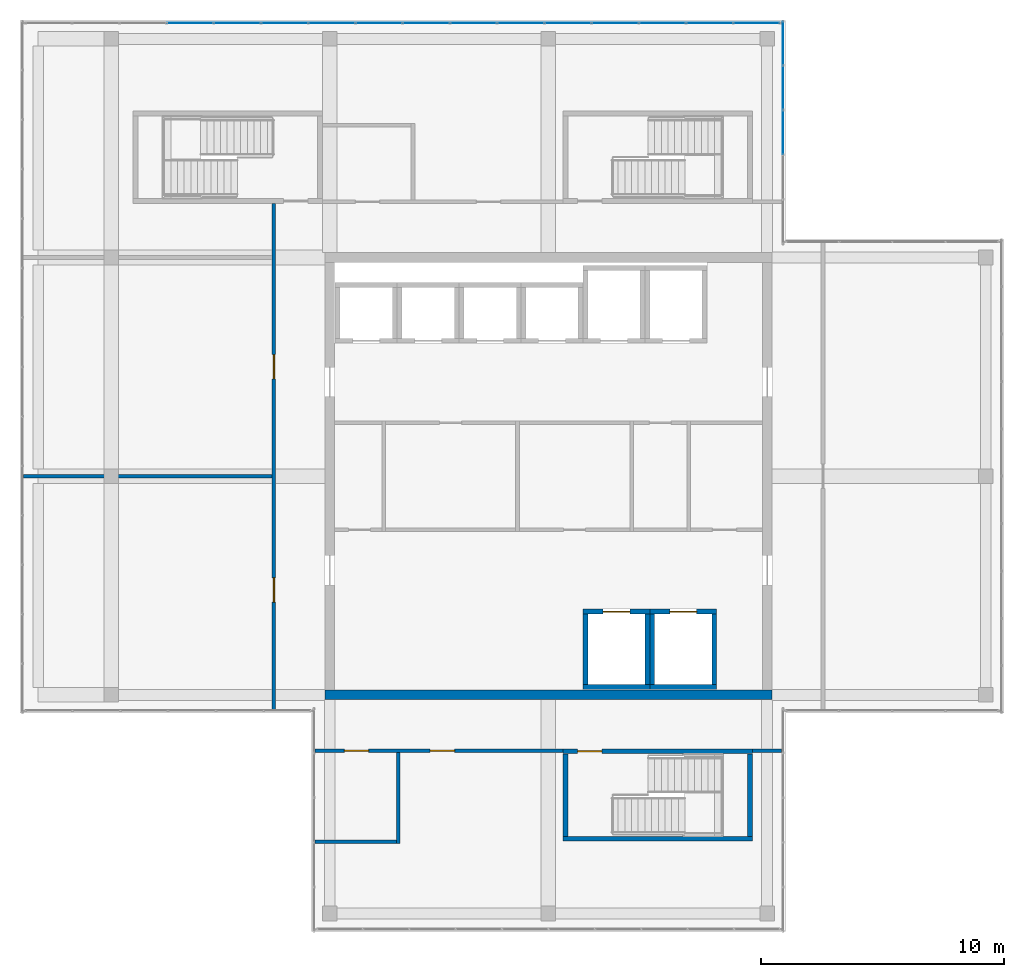
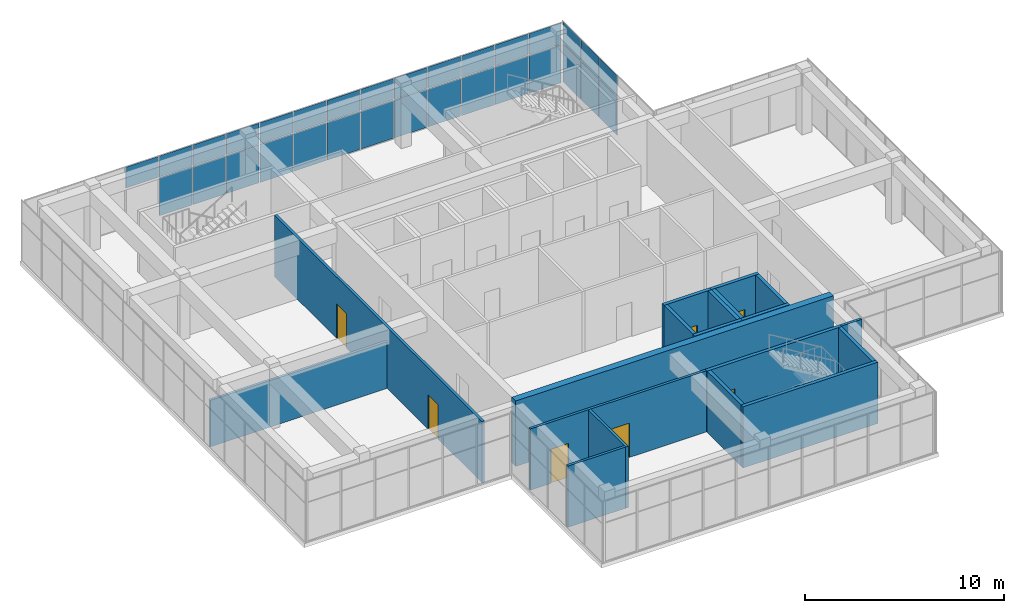
# One storey, part 31 of 35: 31 plates, 19 walls, 7 doors, 7 openings, 2 elements without a shape of their own.
"""IFC4 building model written with IfcOpenShell, lengths in metres."""

from ifc_helpers import new_model, si_unit, direction, frame, frame_2d, origin, origin_2d, place, context, subcontext, project, spatial, rectangle, extrude, material, layer, layer_set, type_object, element, fill, aggregate, save


model = new_model("IFC4")

# Units and contexts
model_context = context("Model", 3, precision=1e-05, world=origin(), true_north=direction((0.0, 1.0)))
body_context = subcontext(model_context, "Body", "Model", "MODEL_VIEW")
ifc_project = project(units=[si_unit("LENGTHUNIT", "METRE"), si_unit("AREAUNIT", "SQUARE_METRE"), si_unit("VOLUMEUNIT", "CUBIC_METRE"), si_unit("PLANEANGLEUNIT", "RADIAN"), si_unit("MASSUNIT", "GRAM", prefix="KILO")], contexts=[model_context])

# Site, building, storey
site_placement = place(None, origin())
site = spatial("IfcSite", under=ifc_project, at=site_placement, CompositionType="ELEMENT")
building_placement = place(site_placement, origin())
building = spatial("IfcBuilding", under=site, at=building_placement, Name="Tuart Plaza Theatre", CompositionType="ELEMENT")
storey_placement = place(building_placement, frame((0.0, 0.0, 45.5)))
storey = spatial("IfcBuildingStorey", under=building, at=storey_placement, Name="L11", CompositionType="ELEMENT", Elevation=45.5)

# Curtain wall, plates
ifc_material_1 = material(Name="Aluminium and glass", Category="aluminium")
ifc_layer_1 = layer(ifc_material_1, 0.10009765625)
ifc_layer_set_1 = layer_set([ifc_layer_1], Name="CURTAIN WALL 2000 module")
curtain_wall_type = type_object("IfcCurtainWallType", Name="CURTAIN WALL 2000 module", PredefinedType="NOTDEFINED", material=ifc_layer_set_1)
curtain_wall_1_placement = place(storey_placement, origin())
curtain_wall_1 = element("IfcCurtainWall", 1, at=curtain_wall_1_placement, inside=storey, type_object=curtain_wall_type, Name="CW104", PredefinedType="NOTDEFINED")
ifc_material_2 = material(Name="Glass", Category="glass")
ifc_layer_2 = layer(ifc_material_2, 0.028076171875)
ifc_layer_set_2 = layer_set([ifc_layer_2], Name="CURTAIN PANEL double glazed 28")
plate_type = type_object("IfcPlateType", Name="CURTAIN PANEL double glazed 28", PredefinedType="CURTAIN_PANEL", material=ifc_layer_set_2)
plate_1_placement = place(storey_placement, frame((141.64990234375, 88.14990234375, 0.0498046875), z_axis=(0.0, 0.0, 1.0), x_axis=(0.0, 1.0, 0.0)))
plate_1 = element("IfcPlate", 2, at=plate_1_placement, type_object=plate_type, Name="CW104 panel 3.1", PredefinedType="CURTAIN_PANEL", context=body_context, shape_type="SweptSolid", body=[
    extrude(rectangle(XDim=1.7900390625, YDim=0.028076171875, at=origin_2d()), origin(), (0.0, 0.0, 1.0), 2.324951171875),
])
plate_2_placement = place(storey_placement, frame((141.64990234375, 88.14990234375, 2.425048828125), z_axis=(0.0, 0.0, 1.0), x_axis=(0.0, 1.0, 0.0)))
plate_2 = element("IfcPlate", 3, at=plate_2_placement, type_object=plate_type, Name="CW104 panel 3.2", PredefinedType="CURTAIN_PANEL", context=body_context, shape_type="SweptSolid", body=[
    extrude(rectangle(XDim=1.7900390625, YDim=0.028076171875, at=origin_2d()), origin(), (0.0, 0.0, 1.0), 1.27490234375),
])
plate_3_placement = place(storey_placement, frame((141.64990234375, 89.989990234375, 0.0498046875), z_axis=(0.0, 0.0, 1.0), x_axis=(0.0, 1.0, 0.0)))
plate_3 = element("IfcPlate", 4, at=plate_3_placement, type_object=plate_type, Name="CW104 panel 4.1", PredefinedType="CURTAIN_PANEL", context=body_context, shape_type="SweptSolid", body=[
    extrude(rectangle(XDim=1.7900390625, YDim=0.028076171875, at=origin_2d()), origin(), (0.0, 0.0, 1.0), 2.324951171875),
])
plate_4_placement = place(storey_placement, frame((141.64990234375, 89.989990234375, 2.425048828125), z_axis=(0.0, 0.0, 1.0), x_axis=(0.0, 1.0, 0.0)))
plate_4 = element("IfcPlate", 5, at=plate_4_placement, type_object=plate_type, Name="CW104 panel 4.2", PredefinedType="CURTAIN_PANEL", context=body_context, shape_type="SweptSolid", body=[
    extrude(rectangle(XDim=1.7900390625, YDim=0.028076171875, at=origin_2d()), origin(), (0.0, 0.0, 1.0), 1.27490234375),
])
plate_5_placement = place(storey_placement, frame((141.64990234375, 91.8173828125, 0.0498046875), z_axis=(0.0, 0.0, 1.0), x_axis=(0.0, 1.0, 0.0)))
plate_5 = element("IfcPlate", 6, at=plate_5_placement, type_object=plate_type, Name="CW104 panel 5.1", PredefinedType="CURTAIN_PANEL", context=body_context, shape_type="SweptSolid", body=[
    extrude(rectangle(XDim=1.764892578125, YDim=0.028076171875, at=origin_2d()), origin(), (0.0, 0.0, 1.0), 2.324951171875),
])
plate_6_placement = place(storey_placement, frame((141.64990234375, 91.8173828125, 2.425048828125), z_axis=(0.0, 0.0, 1.0), x_axis=(0.0, 1.0, 0.0)))
plate_6 = element("IfcPlate", 7, at=plate_6_placement, type_object=plate_type, Name="CW104 panel 5.2", PredefinedType="CURTAIN_PANEL", context=body_context, shape_type="SweptSolid", body=[
    extrude(rectangle(XDim=1.764892578125, YDim=0.028076171875, at=origin_2d()), origin(), (0.0, 0.0, 1.0), 1.27490234375),
])
aggregate(curtain_wall_1, [plate_1, plate_2, plate_3, plate_4, plate_5, plate_6])

curtain_wall_2_placement = place(storey_placement, origin())
curtain_wall_2 = element("IfcCurtainWall", 8, at=curtain_wall_2_placement, inside=storey, type_object=curtain_wall_type, Name="CW105", PredefinedType="NOTDEFINED")
plate_7_placement = place(storey_placement, frame((140.565673828125, 92.64990234375, 0.0498046875), z_axis=(0.0, 0.0, 1.0), x_axis=(-1.0, 0.0, 0.0)))
plate_7 = element("IfcPlate", 9, at=plate_7_placement, type_object=plate_type, Name="CW105 panel 1.1", PredefinedType="CURTAIN_PANEL", context=body_context, shape_type="SweptSolid", body=[
    extrude(rectangle(XDim=1.86865234375, YDim=0.028076171875, at=origin_2d()), origin(), (0.0, 0.0, 1.0), 2.324951171875),
])
plate_8_placement = place(storey_placement, frame((140.565673828125, 92.64990234375, 2.425048828125), z_axis=(0.0, 0.0, 1.0), x_axis=(-1.0, 0.0, 0.0)))
plate_8 = element("IfcPlate", 10, at=plate_8_placement, type_object=plate_type, Name="CW105 panel 1.2", PredefinedType="CURTAIN_PANEL", context=body_context, shape_type="SweptSolid", body=[
    extrude(rectangle(XDim=1.86865234375, YDim=0.028076171875, at=origin_2d()), origin(), (0.0, 0.0, 1.0), 1.27490234375),
])
plate_9_placement = place(storey_placement, frame((138.63427734375, 92.64990234375, 0.0498046875), z_axis=(0.0, 0.0, 1.0), x_axis=(-1.0, 0.0, 0.0)))
plate_9 = element("IfcPlate", 11, at=plate_9_placement, type_object=plate_type, Name="CW105 panel 2.1", PredefinedType="CURTAIN_PANEL", context=body_context, shape_type="SweptSolid", body=[
    extrude(rectangle(XDim=1.893798828125, YDim=0.028076171875, at=origin_2d()), origin(), (0.0, 0.0, 1.0), 2.324951171875),
])
plate_10_placement = place(storey_placement, frame((138.63427734375, 92.64990234375, 2.425048828125), z_axis=(0.0, 0.0, 1.0), x_axis=(-1.0, 0.0, 0.0)))
plate_10 = element("IfcPlate", 12, at=plate_10_placement, type_object=plate_type, Name="CW105 panel 2.2", PredefinedType="CURTAIN_PANEL", context=body_context, shape_type="SweptSolid", body=[
    extrude(rectangle(XDim=1.893798828125, YDim=0.028076171875, at=origin_2d()), origin(), (0.0, 0.0, 1.0), 1.27490234375),
])
plate_11_placement = place(storey_placement, frame((136.690673828125, 92.64990234375, 0.0498046875), z_axis=(0.0, 0.0, 1.0), x_axis=(-1.0, 0.0, 0.0)))
plate_11 = element("IfcPlate", 13, at=plate_11_placement, type_object=plate_type, Name="CW105 panel 3.1", PredefinedType="CURTAIN_PANEL", context=body_context, shape_type="SweptSolid", body=[
    extrude(rectangle(XDim=1.893798828125, YDim=0.028076171875, at=origin_2d()), origin(), (0.0, 0.0, 1.0), 2.324951171875),
])
plate_12_placement = place(storey_placement, frame((136.690673828125, 92.64990234375, 2.425048828125), z_axis=(0.0, 0.0, 1.0), x_axis=(-1.0, 0.0, 0.0)))
plate_12 = element("IfcPlate", 14, at=plate_12_placement, type_object=plate_type, Name="CW105 panel 3.2", PredefinedType="CURTAIN_PANEL", context=body_context, shape_type="SweptSolid", body=[
    extrude(rectangle(XDim=1.893798828125, YDim=0.028076171875, at=origin_2d()), origin(), (0.0, 0.0, 1.0), 1.27490234375),
])
plate_13_placement = place(storey_placement, frame((134.746826171875, 92.64990234375, 0.0498046875), z_axis=(0.0, 0.0, 1.0), x_axis=(-1.0, 0.0, 0.0)))
plate_13 = element("IfcPlate", 15, at=plate_13_placement, type_object=plate_type, Name="CW105 panel 4.1", PredefinedType="CURTAIN_PANEL", context=body_context, shape_type="SweptSolid", body=[
    extrude(rectangle(XDim=1.893798828125, YDim=0.028076171875, at=origin_2d()), origin(), (0.0, 0.0, 1.0), 2.324951171875),
])
plate_14_placement = place(storey_placement, frame((134.746826171875, 92.64990234375, 2.425048828125), z_axis=(0.0, 0.0, 1.0), x_axis=(-1.0, 0.0, 0.0)))
plate_14 = element("IfcPlate", 16, at=plate_14_placement, type_object=plate_type, Name="CW105 panel 4.2", PredefinedType="CURTAIN_PANEL", context=body_context, shape_type="SweptSolid", body=[
    extrude(rectangle(XDim=1.893798828125, YDim=0.028076171875, at=origin_2d()), origin(), (0.0, 0.0, 1.0), 1.27490234375),
])
plate_15_placement = place(storey_placement, frame((132.80322265625, 92.64990234375, 0.0498046875), z_axis=(0.0, 0.0, 1.0), x_axis=(-1.0, 0.0, 0.0)))
plate_15 = element("IfcPlate", 17, at=plate_15_placement, type_object=plate_type, Name="CW105 panel 5.1", PredefinedType="CURTAIN_PANEL", context=body_context, shape_type="SweptSolid", body=[
    extrude(rectangle(XDim=1.893798828125, YDim=0.028076171875, at=origin_2d()), origin(), (0.0, 0.0, 1.0), 2.324951171875),
])
plate_16_placement = place(storey_placement, frame((132.80322265625, 92.64990234375, 2.425048828125), z_axis=(0.0, 0.0, 1.0), x_axis=(-1.0, 0.0, 0.0)))
plate_16 = element("IfcPlate", 18, at=plate_16_placement, type_object=plate_type, Name="CW105 panel 5.2", PredefinedType="CURTAIN_PANEL", context=body_context, shape_type="SweptSolid", body=[
    extrude(rectangle(XDim=1.893798828125, YDim=0.028076171875, at=origin_2d()), origin(), (0.0, 0.0, 1.0), 1.27490234375),
])
plate_17_placement = place(storey_placement, frame((130.859375, 92.64990234375, 0.0498046875), z_axis=(0.0, 0.0, 1.0), x_axis=(-1.0, 0.0, 0.0)))
plate_17 = element("IfcPlate", 19, at=plate_17_placement, type_object=plate_type, Name="CW105 panel 6.1", PredefinedType="CURTAIN_PANEL", context=body_context, shape_type="SweptSolid", body=[
    extrude(rectangle(XDim=1.893798828125, YDim=0.028076171875, at=origin_2d()), origin(), (0.0, 0.0, 1.0), 2.324951171875),
])
plate_18_placement = place(storey_placement, frame((130.859375, 92.64990234375, 2.425048828125), z_axis=(0.0, 0.0, 1.0), x_axis=(-1.0, 0.0, 0.0)))
plate_18 = element("IfcPlate", 20, at=plate_18_placement, type_object=plate_type, Name="CW105 panel 6.2", PredefinedType="CURTAIN_PANEL", context=body_context, shape_type="SweptSolid", body=[
    extrude(rectangle(XDim=1.893798828125, YDim=0.028076171875, at=origin_2d()), origin(), (0.0, 0.0, 1.0), 1.27490234375),
])
plate_19_placement = place(storey_placement, frame((128.91552734375, 92.64990234375, 0.0498046875), z_axis=(0.0, 0.0, 1.0), x_axis=(-1.0, 0.0, 0.0)))
plate_19 = element("IfcPlate", 21, at=plate_19_placement, type_object=plate_type, Name="CW105 panel 7.1", PredefinedType="CURTAIN_PANEL", context=body_context, shape_type="SweptSolid", body=[
    extrude(rectangle(XDim=1.893798828125, YDim=0.028076171875, at=origin_2d()), origin(), (0.0, 0.0, 1.0), 2.324951171875),
])
plate_20_placement = place(storey_placement, frame((128.91552734375, 92.64990234375, 2.425048828125), z_axis=(0.0, 0.0, 1.0), x_axis=(-1.0, 0.0, 0.0)))
plate_20 = element("IfcPlate", 22, at=plate_20_placement, type_object=plate_type, Name="CW105 panel 7.2", PredefinedType="CURTAIN_PANEL", context=body_context, shape_type="SweptSolid", body=[
    extrude(rectangle(XDim=1.893798828125, YDim=0.028076171875, at=origin_2d()), origin(), (0.0, 0.0, 1.0), 1.27490234375),
])
plate_21_placement = place(storey_placement, frame((126.971923828125, 92.64990234375, 0.0498046875), z_axis=(0.0, 0.0, 1.0), x_axis=(-1.0, 0.0, 0.0)))
plate_21 = element("IfcPlate", 23, at=plate_21_placement, type_object=plate_type, Name="CW105 panel 8.1", PredefinedType="CURTAIN_PANEL", context=body_context, shape_type="SweptSolid", body=[
    extrude(rectangle(XDim=1.893798828125, YDim=0.028076171875, at=origin_2d()), origin(), (0.0, 0.0, 1.0), 2.324951171875),
])
plate_22_placement = place(storey_placement, frame((126.971923828125, 92.64990234375, 2.425048828125), z_axis=(0.0, 0.0, 1.0), x_axis=(-1.0, 0.0, 0.0)))
plate_22 = element("IfcPlate", 24, at=plate_22_placement, type_object=plate_type, Name="CW105 panel 8.2", PredefinedType="CURTAIN_PANEL", context=body_context, shape_type="SweptSolid", body=[
    extrude(rectangle(XDim=1.893798828125, YDim=0.028076171875, at=origin_2d()), origin(), (0.0, 0.0, 1.0), 1.27490234375),
])
plate_23_placement = place(storey_placement, frame((125.028076171875, 92.64990234375, 0.0498046875), z_axis=(0.0, 0.0, 1.0), x_axis=(-1.0, 0.0, 0.0)))
plate_23 = element("IfcPlate", 25, at=plate_23_placement, type_object=plate_type, Name="CW105 panel 9.1", PredefinedType="CURTAIN_PANEL", context=body_context, shape_type="SweptSolid", body=[
    extrude(rectangle(XDim=1.893798828125, YDim=0.028076171875, at=origin_2d()), origin(), (0.0, 0.0, 1.0), 2.324951171875),
])
plate_24_placement = place(storey_placement, frame((125.028076171875, 92.64990234375, 2.425048828125), z_axis=(0.0, 0.0, 1.0), x_axis=(-1.0, 0.0, 0.0)))
plate_24 = element("IfcPlate", 26, at=plate_24_placement, type_object=plate_type, Name="CW105 panel 9.2", PredefinedType="CURTAIN_PANEL", context=body_context, shape_type="SweptSolid", body=[
    extrude(rectangle(XDim=1.893798828125, YDim=0.028076171875, at=origin_2d()), origin(), (0.0, 0.0, 1.0), 1.27490234375),
])
plate_25_placement = place(storey_placement, frame((123.08447265625, 92.64990234375, 0.0498046875), z_axis=(0.0, 0.0, 1.0), x_axis=(-1.0, 0.0, 0.0)))
plate_25 = element("IfcPlate", 27, at=plate_25_placement, type_object=plate_type, Name="CW105 panel 10.1", PredefinedType="CURTAIN_PANEL", context=body_context, shape_type="SweptSolid", body=[
    extrude(rectangle(XDim=1.893798828125, YDim=0.028076171875, at=origin_2d()), origin(), (0.0, 0.0, 1.0), 2.324951171875),
])
plate_26_placement = place(storey_placement, frame((123.08447265625, 92.64990234375, 2.425048828125), z_axis=(0.0, 0.0, 1.0), x_axis=(-1.0, 0.0, 0.0)))
plate_26 = element("IfcPlate", 28, at=plate_26_placement, type_object=plate_type, Name="CW105 panel 10.2", PredefinedType="CURTAIN_PANEL", context=body_context, shape_type="SweptSolid", body=[
    extrude(rectangle(XDim=1.893798828125, YDim=0.028076171875, at=origin_2d()), origin(), (0.0, 0.0, 1.0), 1.27490234375),
])
plate_27_placement = place(storey_placement, frame((121.140625, 92.64990234375, 0.0498046875), z_axis=(0.0, 0.0, 1.0), x_axis=(-1.0, 0.0, 0.0)))
plate_27 = element("IfcPlate", 29, at=plate_27_placement, type_object=plate_type, Name="CW105 panel 11.1", PredefinedType="CURTAIN_PANEL", context=body_context, shape_type="SweptSolid", body=[
    extrude(rectangle(XDim=1.893798828125, YDim=0.028076171875, at=origin_2d()), origin(), (0.0, 0.0, 1.0), 2.324951171875),
])
plate_28_placement = place(storey_placement, frame((121.140625, 92.64990234375, 2.425048828125), z_axis=(0.0, 0.0, 1.0), x_axis=(-1.0, 0.0, 0.0)))
plate_28 = element("IfcPlate", 30, at=plate_28_placement, type_object=plate_type, Name="CW105 panel 11.2", PredefinedType="CURTAIN_PANEL", context=body_context, shape_type="SweptSolid", body=[
    extrude(rectangle(XDim=1.893798828125, YDim=0.028076171875, at=origin_2d()), origin(), (0.0, 0.0, 1.0), 1.27490234375),
])
plate_29_placement = place(storey_placement, frame((119.19677734375, 92.64990234375, 0.0498046875), z_axis=(0.0, 0.0, 1.0), x_axis=(-1.0, 0.0, 0.0)))
plate_29 = element("IfcPlate", 31, at=plate_29_placement, type_object=plate_type, Name="CW105 panel 12.1", PredefinedType="CURTAIN_PANEL", context=body_context, shape_type="SweptSolid", body=[
    extrude(rectangle(XDim=1.893798828125, YDim=0.028076171875, at=origin_2d()), origin(), (0.0, 0.0, 1.0), 2.324951171875),
])
plate_30_placement = place(storey_placement, frame((119.19677734375, 92.64990234375, 2.425048828125), z_axis=(0.0, 0.0, 1.0), x_axis=(-1.0, 0.0, 0.0)))
plate_30 = element("IfcPlate", 32, at=plate_30_placement, type_object=plate_type, Name="CW105 panel 12.2", PredefinedType="CURTAIN_PANEL", context=body_context, shape_type="SweptSolid", body=[
    extrude(rectangle(XDim=1.893798828125, YDim=0.028076171875, at=origin_2d()), origin(), (0.0, 0.0, 1.0), 1.27490234375),
])
plate_31_placement = place(storey_placement, frame((117.253173828125, 92.64990234375, 2.425048828125), z_axis=(0.0, 0.0, 1.0), x_axis=(-1.0, 0.0, 0.0)))
plate_31 = element("IfcPlate", 33, at=plate_31_placement, type_object=plate_type, Name="CW105 panel 13.2", PredefinedType="CURTAIN_PANEL", context=body_context, shape_type="SweptSolid", body=[
    extrude(rectangle(XDim=1.893798828125, YDim=0.028076171875, at=origin_2d()), origin(), (0.0, 0.0, 1.0), 1.27490234375),
])
aggregate(curtain_wall_2, [plate_7, plate_8, plate_9, plate_10, plate_11, plate_12, plate_13, plate_14, plate_15, plate_16, plate_17, plate_18, plate_19, plate_20, plate_21, plate_22, plate_23, plate_24, plate_25, plate_26, plate_27, plate_28, plate_29, plate_30, plate_31])

# Wall, openings, doors
ifc_material_3 = material(Name="Masonry block", Category="masonry")
ifc_layer_3 = layer(ifc_material_3, 0.14990234375)
ifc_layer_set_3 = layer_set([ifc_layer_3], Name="PARTITION BLK150 MASONRYB FRL 120/-/-")
wall_type_1 = type_object("IfcWallType", Name="PARTITION BLK150 MASONRYB FRL 120/-/-", PredefinedType="PARTITIONING", material=ifc_layer_set_3)
wall_1_placement = place(storey_placement, frame((132.60009765625, 62.699951171875, 0.0), z_axis=(0.0, 0.0, 1.0), x_axis=(-1.0, 0.0, 0.0)))
wall_1 = element("IfcWall", 34, at=wall_1_placement, inside=storey, type_object=wall_type_1, Name="P680", PredefinedType="PARTITIONING", context=body_context, shape_type="SweptSolid", body=[
    extrude(rectangle(XDim=10.2001953125, YDim=0.14990234375, at=frame_2d((5.10009765625, 0.0))), origin(), (0.0, 0.0, 1.0), 3.75),
])
opening_1_placement = place(wall_1_placement, frame((8.0, 0.0, 0.0)))
opening_1 = element("IfcOpeningElement", 35, at=opening_1_placement, cuts=wall_1, Name="Opening L11-021", PredefinedType="OPENING", context=body_context, shape_type="SweptSolid", body=[
    extrude(rectangle(XDim=1.0, YDim=2.10009765625, at=frame_2d((0.5, 1.050048828125))), frame((0.0, 0.0849609375, 0.0), z_axis=(0.0, -1.0, 0.0), x_axis=(1.0, 0.0, 0.0)), (0.0, 0.0, 1.0), 0.169921875),
])
opening_2_placement = place(wall_1_placement, frame((4.465087890625, 0.0, 0.0)))
opening_2 = element("IfcOpeningElement", 36, at=opening_2_placement, cuts=wall_1, Name="Opening L11-023", PredefinedType="OPENING", context=body_context, shape_type="SweptSolid", body=[
    extrude(rectangle(XDim=1.0, YDim=2.10009765625, at=frame_2d((0.5, 1.050048828125))), frame((0.0, 0.0849609375, 0.0), z_axis=(0.0, -1.0, 0.0), x_axis=(1.0, 0.0, 0.0)), (0.0, 0.0, 1.0), 0.169921875),
])
ifc_material_4 = material(Name="Timber", Category="wood")
door_type_1 = type_object("IfcDoorType", Name="DOOR 1000x2100 timber single swing FRL -/60/30", OperationType="SINGLE_SWING_LEFT", PredefinedType="DOOR", material=ifc_material_4)
door_1_placement = place(opening_1_placement, origin())
door_1 = element("IfcDoor", 37, at=door_1_placement, inside=storey, type_object=door_type_1, Name="L11-021", OperationType="SINGLE_SWING_RIGHT", OverallHeight=2.10009765625, OverallWidth=1.0, PredefinedType="DOOR", context=body_context, shape_type="SweptSolid", body=[
    extrude(rectangle(XDim=1.0, YDim=2.10009765625, at=frame_2d((0.5, 1.050048828125))), frame((0.0, 0.02490234375, 0.0), z_axis=(0.0, -1.0, 0.0), x_axis=(1.0, 0.0, 0.0)), (0.0, 0.0, 1.0), 0.050048828125),
])
fill(opening_1, door_1)
door_2_placement = place(opening_2_placement, origin())
door_2 = element("IfcDoor", 38, at=door_2_placement, inside=storey, type_object=door_type_1, Name="L11-023", OperationType="SINGLE_SWING_LEFT", OverallHeight=2.10009765625, OverallWidth=1.0, PredefinedType="DOOR", context=body_context, shape_type="SweptSolid", body=[
    extrude(rectangle(XDim=1.0, YDim=2.10009765625, at=frame_2d((0.5, 1.050048828125))), frame((0.0, 0.02490234375, 0.0), z_axis=(0.0, -1.0, 0.0), x_axis=(1.0, 0.0, 0.0)), (0.0, 0.0, 1.0), 0.050048828125),
])
fill(opening_2, door_2)

# Wall
wall_2_placement = place(storey_placement, frame((141.60009765625, 62.699951171875, 0.0), z_axis=(0.0, 0.0, 1.0), x_axis=(-1.0, 0.0, 0.0)))
element("IfcWall", 39, at=wall_2_placement, inside=storey, type_object=wall_type_1, Name="P681", PredefinedType="PARTITIONING", context=body_context, shape_type="SweptSolid", body=[
    extrude(rectangle(XDim=1.2001953125, YDim=0.14990234375, at=frame_2d((0.60009765625, 0.0))), origin(), (0.0, 0.0, 1.0), 3.75),
])

# Wall, openings, doors
wall_3_placement = place(storey_placement, frame((120.699951171875, 64.39990234375, 0.0), z_axis=(0.0, 0.0, 1.0), x_axis=(0.0, 1.0, 0.0)))
wall_3 = element("IfcWall", 40, at=wall_3_placement, inside=storey, type_object=wall_type_1, Name="P682", PredefinedType="PARTITIONING", context=body_context, shape_type="SweptSolid", body=[
    extrude(rectangle(XDim=20.8251953125, YDim=0.14990234375, at=frame_2d((10.41259765625, 0.0))), origin(), (0.0, 0.0, 1.0), 3.75),
])
opening_3_placement = place(wall_3_placement, frame((4.41259765625, 0.0, 0.0)))
opening_3 = element("IfcOpeningElement", 41, at=opening_3_placement, cuts=wall_3, Name="Opening L11-024", PredefinedType="OPENING", context=body_context, shape_type="SweptSolid", body=[
    extrude(rectangle(XDim=1.0, YDim=2.10009765625, at=frame_2d((0.5, 1.050048828125))), frame((0.0, 0.0849609375, 0.0), z_axis=(0.0, -1.0, 0.0), x_axis=(1.0, 0.0, 0.0)), (0.0, 0.0, 1.0), 0.169921875),
])
opening_4_placement = place(wall_3_placement, frame((13.60009765625, 0.0, 0.0)))
opening_4 = element("IfcOpeningElement", 42, at=opening_4_placement, cuts=wall_3, Name="Opening L11-026", PredefinedType="OPENING", context=body_context, shape_type="SweptSolid", body=[
    extrude(rectangle(XDim=1.0, YDim=2.10009765625, at=frame_2d((0.5, 1.050048828125))), frame((0.0, 0.0849609375, 0.0), z_axis=(0.0, -1.0, 0.0), x_axis=(1.0, 0.0, 0.0)), (0.0, 0.0, 1.0), 0.169921875),
])
door_3_placement = place(opening_3_placement, origin())
door_3 = element("IfcDoor", 43, at=door_3_placement, inside=storey, type_object=door_type_1, Name="L11-024", OperationType="SINGLE_SWING_RIGHT", OverallHeight=2.10009765625, OverallWidth=1.0, PredefinedType="DOOR", context=body_context, shape_type="SweptSolid", body=[
    extrude(rectangle(XDim=1.0, YDim=2.10009765625, at=frame_2d((0.5, 1.050048828125))), frame((0.0, 0.02490234375, 0.0), z_axis=(0.0, -1.0, 0.0), x_axis=(1.0, 0.0, 0.0)), (0.0, 0.0, 1.0), 0.050048828125),
])
fill(opening_3, door_3)
door_4_placement = place(opening_4_placement, origin())
door_4 = element("IfcDoor", 44, at=door_4_placement, inside=storey, type_object=door_type_1, Name="L11-026", OperationType="SINGLE_SWING_LEFT", OverallHeight=2.10009765625, OverallWidth=1.0, PredefinedType="DOOR", context=body_context, shape_type="SweptSolid", body=[
    extrude(rectangle(XDim=1.0, YDim=2.10009765625, at=frame_2d((0.5, 1.050048828125))), frame((0.0, 0.02490234375, 0.0), z_axis=(0.0, -1.0, 0.0), x_axis=(1.0, 0.0, 0.0)), (0.0, 0.0, 1.0), 0.050048828125),
])
fill(opening_4, door_4)

# Walls
wall_4_placement = place(storey_placement, frame((110.39990234375, 74.0, 0.0), z_axis=(0.0, 0.0, 1.0), x_axis=(1.0, 0.0, 0.0)))
element("IfcWall", 45, at=wall_4_placement, inside=storey, type_object=wall_type_1, Name="P686", PredefinedType="PARTITIONING", context=body_context, shape_type="SweptSolid", body=[
    extrude(rectangle(XDim=10.22607421875, YDim=0.14990234375, at=frame_2d((5.113037109375, 0.0))), origin(), (0.0, 0.0, 1.0), 2.85009765625),
])
wall_5_placement = place(storey_placement, frame((122.39990234375, 58.949951171875, 0.0), z_axis=(0.0, 0.0, 1.0), x_axis=(1.0, 0.0, 0.0)))
element("IfcWall", 46, at=wall_5_placement, inside=storey, type_object=wall_type_1, Name="P688", PredefinedType="PARTITIONING", context=body_context, shape_type="SweptSolid", body=[
    extrude(rectangle(XDim=3.35009765625, YDim=0.14990234375, at=frame_2d((1.675048828125, 0.0))), origin(), (0.0, 0.0, 1.0), 3.75),
])
wall_6_placement = place(storey_placement, frame((125.824951171875, 62.625, 0.0), z_axis=(0.0, 0.0, 1.0), x_axis=(0.0, -1.0, 0.0)))
element("IfcWall", 47, at=wall_6_placement, inside=storey, type_object=wall_type_1, Name="P689", PredefinedType="PARTITIONING", context=body_context, shape_type="SweptSolid", body=[
    extrude(rectangle(XDim=3.75, YDim=0.14990234375, at=frame_2d((1.875, 0.0))), origin(), (0.0, 0.0, 1.0), 3.75),
])
ifc_material_5 = material(Name="Concrete N40 (40 MPa)", Category="concrete")
ifc_layer_4 = layer(ifc_material_5, 0.199951171875)
ifc_layer_set_4 = layer_set([ifc_layer_4], Name="SHEAR WALL RC200 FRL 120/120/120")
wall_type_2 = type_object("IfcWallType", Name="SHEAR WALL RC200 FRL 120/120/120", PredefinedType="SHEAR", material=ifc_layer_set_4)
wall_7_placement = place(storey_placement, frame((133.425048828125, 65.324951171875, 0.0), z_axis=(0.0, 0.0, 1.0), x_axis=(1.0, 0.0, 0.0)))
element("IfcWall", 48, at=wall_7_placement, inside=storey, type_object=wall_type_2, Name="W1058", PredefinedType="SHEAR", context=body_context, shape_type="SweptSolid", body=[
    extrude(rectangle(XDim=2.75, YDim=0.199951171875, at=frame_2d((1.375, 0.0))), origin(), (0.0, 0.0, 1.0), 4.0),
])
wall_8_placement = place(storey_placement, frame((136.074951171875, 65.425048828125, 0.0), z_axis=(0.0, 0.0, 1.0), x_axis=(0.0, 1.0, 0.0)))
element("IfcWall", 49, at=wall_8_placement, inside=storey, type_object=wall_type_2, Name="W1059", PredefinedType="SHEAR", context=body_context, shape_type="SweptSolid", body=[
    extrude(rectangle(XDim=2.89990234375, YDim=0.199951171875, at=frame_2d((1.449951171875, 0.0))), origin(), (0.0, 0.0, 1.0), 4.0),
])

# Wall, opening, door
wall_9_placement = place(storey_placement, frame((136.175048828125, 68.425048828125, 0.0), z_axis=(0.0, 0.0, 1.0), x_axis=(-1.0, 0.0, 0.0)))
wall_9 = element("IfcWall", 50, at=wall_9_placement, inside=storey, type_object=wall_type_2, Name="W1060", PredefinedType="SHEAR", context=body_context, shape_type="SweptSolid", body=[
    extrude(rectangle(XDim=2.75, YDim=0.199951171875, at=frame_2d((1.375, 0.0))), origin(), (0.0, 0.0, 1.0), 4.0),
])
opening_5_placement = place(wall_9_placement, frame((0.824951171875, 0.0, 0.0)))
opening_5 = element("IfcOpeningElement", 51, at=opening_5_placement, cuts=wall_9, Name="Opening L11-005", PredefinedType="OPENING", context=body_context, shape_type="SweptSolid", body=[
    extrude(rectangle(XDim=1.10009765625, YDim=2.10009765625, at=frame_2d((0.550048828125, 1.050048828125))), frame((0.0, 0.10986328125, 0.0), z_axis=(0.0, -1.0, 0.0), x_axis=(1.0, 0.0, 0.0)), (0.0, 0.0, 1.0), 0.219970703125),
])
ifc_material_6 = material(Name="Steel Grade 300", Category="steel")
door_type_2 = type_object("IfcDoorType", Name="LANDING DOOR 1100x2100 steel sliding FRL -/120/30", OperationType="SLIDING_TO_LEFT", PredefinedType="DOOR", material=ifc_material_6)
door_5_placement = place(opening_5_placement, origin())
door_5 = element("IfcDoor", 52, at=door_5_placement, inside=storey, type_object=door_type_2, Name="L11-005", OperationType="SLIDING_TO_LEFT", OverallHeight=2.10009765625, OverallWidth=1.10009765625, PredefinedType="DOOR", context=body_context, shape_type="SweptSolid", body=[
    extrude(rectangle(XDim=1.10009765625, YDim=2.10009765625, at=frame_2d((0.550048828125, 1.050048828125))), frame((0.0, 0.02490234375, 0.0), z_axis=(0.0, -1.0, 0.0), x_axis=(1.0, 0.0, 0.0)), (0.0, 0.0, 1.0), 0.050048828125),
])
fill(opening_5, door_5)

# Walls
wall_10_placement = place(storey_placement, frame((133.52490234375, 68.324951171875, 0.0), z_axis=(0.0, 0.0, 1.0), x_axis=(0.0, -1.0, 0.0)))
element("IfcWall", 53, at=wall_10_placement, inside=storey, type_object=wall_type_2, Name="W1061", PredefinedType="SHEAR", context=body_context, shape_type="SweptSolid", body=[
    extrude(rectangle(XDim=2.89990234375, YDim=0.199951171875, at=frame_2d((1.449951171875, 0.0))), origin(), (0.0, 0.0, 1.0), 4.0),
])
wall_11_placement = place(storey_placement, frame((136.175048828125, 65.324951171875, 0.0), z_axis=(0.0, 0.0, 1.0), x_axis=(1.0, 0.0, 0.0)))
element("IfcWall", 54, at=wall_11_placement, inside=storey, type_object=wall_type_2, Name="W1134", PredefinedType="SHEAR", context=body_context, shape_type="SweptSolid", body=[
    extrude(rectangle(XDim=2.75, YDim=0.199951171875, at=frame_2d((1.375, 0.0))), origin(), (0.0, 0.0, 1.0), 4.0),
])
wall_12_placement = place(storey_placement, frame((138.824951171875, 65.425048828125, 0.0), z_axis=(0.0, 0.0, 1.0), x_axis=(0.0, 1.0, 0.0)))
element("IfcWall", 55, at=wall_12_placement, inside=storey, type_object=wall_type_2, Name="W1135", PredefinedType="SHEAR", context=body_context, shape_type="SweptSolid", body=[
    extrude(rectangle(XDim=2.89990234375, YDim=0.199951171875, at=frame_2d((1.449951171875, 0.0))), origin(), (0.0, 0.0, 1.0), 4.0),
])

# Wall, opening, door
wall_13_placement = place(storey_placement, frame((138.925048828125, 68.425048828125, 0.0), z_axis=(0.0, 0.0, 1.0), x_axis=(-1.0, 0.0, 0.0)))
wall_13 = element("IfcWall", 56, at=wall_13_placement, inside=storey, type_object=wall_type_2, Name="W1136", PredefinedType="SHEAR", context=body_context, shape_type="SweptSolid", body=[
    extrude(rectangle(XDim=2.75, YDim=0.199951171875, at=frame_2d((1.375, 0.0))), origin(), (0.0, 0.0, 1.0), 4.0),
])
opening_6_placement = place(wall_13_placement, frame((0.824951171875, 0.0, 0.0)))
opening_6 = element("IfcOpeningElement", 57, at=opening_6_placement, cuts=wall_13, Name="Opening L11-006", PredefinedType="OPENING", context=body_context, shape_type="SweptSolid", body=[
    extrude(rectangle(XDim=1.10009765625, YDim=2.10009765625, at=frame_2d((0.550048828125, 1.050048828125))), frame((0.0, 0.10986328125, 0.0), z_axis=(0.0, -1.0, 0.0), x_axis=(1.0, 0.0, 0.0)), (0.0, 0.0, 1.0), 0.219970703125),
])
door_6_placement = place(opening_6_placement, origin())
door_6 = element("IfcDoor", 58, at=door_6_placement, inside=storey, type_object=door_type_2, Name="L11-006", OperationType="SLIDING_TO_LEFT", OverallHeight=2.10009765625, OverallWidth=1.10009765625, PredefinedType="DOOR", context=body_context, shape_type="SweptSolid", body=[
    extrude(rectangle(XDim=1.10009765625, YDim=2.10009765625, at=frame_2d((0.550048828125, 1.050048828125))), frame((0.0, 0.02490234375, 0.0), z_axis=(0.0, -1.0, 0.0), x_axis=(1.0, 0.0, 0.0)), (0.0, 0.0, 1.0), 0.050048828125),
])
fill(opening_6, door_6)

# Walls
wall_14_placement = place(storey_placement, frame((136.27490234375, 68.324951171875, 0.0), z_axis=(0.0, 0.0, 1.0), x_axis=(0.0, -1.0, 0.0)))
element("IfcWall", 59, at=wall_14_placement, inside=storey, type_object=wall_type_2, Name="W1137", PredefinedType="SHEAR", context=body_context, shape_type="SweptSolid", body=[
    extrude(rectangle(XDim=2.89990234375, YDim=0.199951171875, at=frame_2d((1.449951171875, 0.0))), origin(), (0.0, 0.0, 1.0), 4.0),
])
wall_15_placement = place(storey_placement, frame((132.60009765625, 59.074951171875, 0.0), z_axis=(0.0, 0.0, 1.0), x_axis=(1.0, 0.0, 0.0)))
element("IfcWall", 60, at=wall_15_placement, inside=storey, type_object=wall_type_2, Name="P408", PredefinedType="SHEAR", context=body_context, shape_type="SweptSolid", body=[
    extrude(rectangle(XDim=7.7998046875, YDim=0.199951171875, at=frame_2d((3.89990234375, 0.0))), origin(), (0.0, 0.0, 1.0), 3.75),
])
wall_16_placement = place(storey_placement, frame((140.300048828125, 59.175048828125, 0.0), z_axis=(0.0, 0.0, 1.0), x_axis=(0.0, 1.0, 0.0)))
element("IfcWall", 61, at=wall_16_placement, inside=storey, type_object=wall_type_2, Name="P409", PredefinedType="SHEAR", context=body_context, shape_type="SweptSolid", body=[
    extrude(rectangle(XDim=3.39990234375, YDim=0.199951171875, at=frame_2d((1.699951171875, 0.0))), origin(), (0.0, 0.0, 1.0), 3.75),
])

# Wall, opening, door
wall_17_placement = place(storey_placement, frame((140.39990234375, 62.675048828125, 0.0), z_axis=(0.0, 0.0, 1.0), x_axis=(-1.0, 0.0, 0.0)))
wall_17 = element("IfcWall", 62, at=wall_17_placement, inside=storey, type_object=wall_type_2, Name="P410", PredefinedType="SHEAR", context=body_context, shape_type="SweptSolid", body=[
    extrude(rectangle(XDim=7.7998046875, YDim=0.199951171875, at=frame_2d((3.89990234375, 0.0))), origin(), (0.0, 0.0, 1.0), 3.75),
])
opening_7_placement = place(wall_17_placement, frame((6.199951171875, 0.0, 0.0)))
opening_7 = element("IfcOpeningElement", 63, at=opening_7_placement, cuts=wall_17, Name="Opening L11-009", PredefinedType="OPENING", context=body_context, shape_type="SweptSolid", body=[
    extrude(rectangle(XDim=1.0, YDim=2.10009765625, at=frame_2d((0.5, 1.050048828125))), frame((0.0, 0.10986328125, 0.0), z_axis=(0.0, -1.0, 0.0), x_axis=(1.0, 0.0, 0.0)), (0.0, 0.0, 1.0), 0.219970703125),
])
ifc_material_7 = material(Name="Steel Grade 300", Category="steel")
door_type_3 = type_object("IfcDoorType", Name="DOOR 1000x2100 steel single swing FRL -/120/30", OperationType="SINGLE_SWING_LEFT", PredefinedType="DOOR", material=ifc_material_7)
door_7_placement = place(opening_7_placement, origin())
door_7 = element("IfcDoor", 64, at=door_7_placement, inside=storey, type_object=door_type_3, Name="L11-009", OperationType="SINGLE_SWING_LEFT", OverallHeight=2.10009765625, OverallWidth=1.0, PredefinedType="DOOR", context=body_context, shape_type="SweptSolid", body=[
    extrude(rectangle(XDim=1.0, YDim=2.10009765625, at=frame_2d((0.5, 1.050048828125))), frame((0.0, 0.02490234375, 0.0), z_axis=(0.0, -1.0, 0.0), x_axis=(1.0, 0.0, 0.0)), (0.0, 0.0, 1.0), 0.050048828125),
])
fill(opening_7, door_7)

# Walls
wall_18_placement = place(storey_placement, frame((132.699951171875, 62.574951171875, 0.0), z_axis=(0.0, 0.0, 1.0), x_axis=(0.0, -1.0, 0.0)))
element("IfcWall", 65, at=wall_18_placement, inside=storey, type_object=wall_type_2, Name="P411", PredefinedType="SHEAR", context=body_context, shape_type="SweptSolid", body=[
    extrude(rectangle(XDim=3.39990234375, YDim=0.199951171875, at=frame_2d((1.699951171875, 0.0))), origin(), (0.0, 0.0, 1.0), 3.75),
])
ifc_material_8 = material(Name="Concrete N50 (50 MPa)", Category="concrete")
ifc_layer_5 = layer(ifc_material_8, 0.39990234375)
ifc_layer_set_5 = layer_set([ifc_layer_5], Name="SHEAR WALL RC400 N50 FRL 120/120/120")
wall_type_3 = type_object("IfcWallType", Name="SHEAR WALL RC400 N50 FRL 120/120/120", PredefinedType="SHEAR", material=ifc_layer_set_5)
wall_19_placement = place(storey_placement, frame((122.800048828125, 65.0, 0.0), z_axis=(0.0, 0.0, 1.0), x_axis=(1.0, 0.0, 0.0)))
element("IfcWall", 66, at=wall_19_placement, inside=storey, type_object=wall_type_3, Name="W411", PredefinedType="SHEAR", context=body_context, shape_type="SweptSolid", body=[
    extrude(rectangle(XDim=18.39990234375, YDim=0.39990234375, at=frame_2d((9.199951171875, 0.0))), origin(), (0.0, 0.0, 1.0), 4.0),
])

save(model, "model.ifc")
